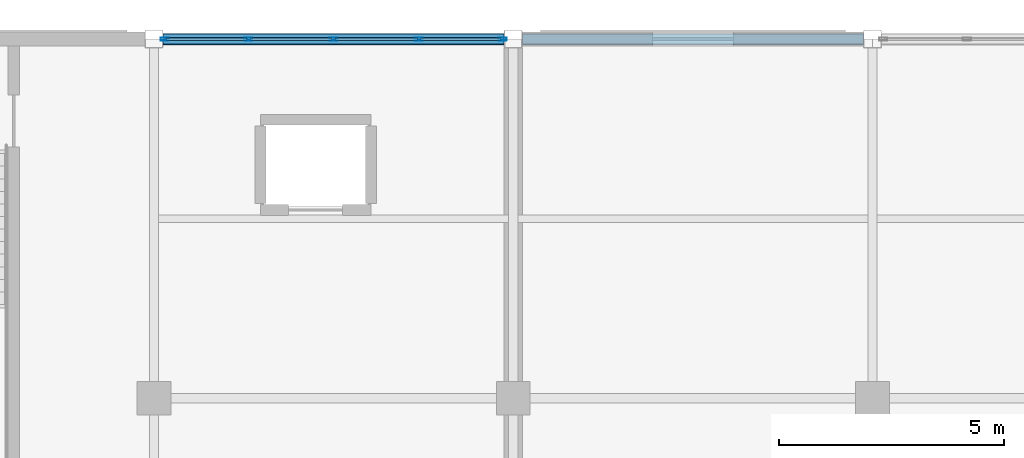
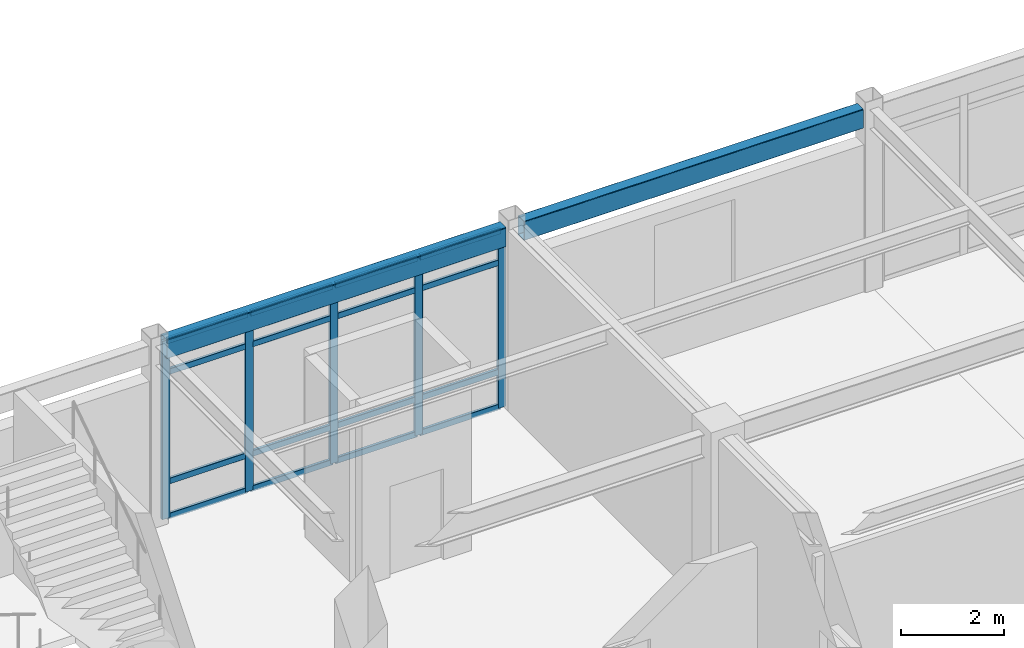
# One storey, part 63 of 111: 21 members, 2 beams, 1 element without a shape of its own.
"""IFC4 building model written with IfcOpenShell, lengths in metres."""

from ifc_helpers import new_model, si_unit, direction, frame, origin, origin_2d, place, context, subcontext, project, spatial, hollow_rectangle, extrude, material, material_profile, profile_set, type_object, element, aggregate, save


model = new_model("IFC4")

# Units and contexts
model_context = context("Model", 3, precision=1e-05, world=origin(), true_north=direction((0.0, 1.0)))
body_context = subcontext(model_context, "Body", "Model", "MODEL_VIEW")
ifc_project = project(units=[si_unit("LENGTHUNIT", "METRE"), si_unit("AREAUNIT", "SQUARE_METRE"), si_unit("VOLUMEUNIT", "CUBIC_METRE"), si_unit("PLANEANGLEUNIT", "RADIAN"), si_unit("MASSUNIT", "GRAM", prefix="KILO")], contexts=[model_context])

# Site, building, storey
site_placement = place(None, origin())
site = spatial("IfcSite", under=ifc_project, at=site_placement, CompositionType="ELEMENT")
building_placement = place(site_placement, origin())
building = spatial("IfcBuilding", under=site, at=building_placement, Name="Solmirada Galleria", CompositionType="ELEMENT")
storey_placement = place(building_placement, frame((0.0, 0.0, 10.39990234375)))
storey = spatial("IfcBuildingStorey", under=building, at=storey_placement, Name="L02", CompositionType="ELEMENT", Elevation=10.39990234375)

# Beams
ifc_material_1 = material(Name="Steel S355 / ASTM A500 Grade C", Category="steel")
ifc_material_profile_1 = material_profile(ifc_material_1, hollow_rectangle(XDim=0.25390625, YDim=0.45703125, WallThickness=0.01171875, InnerFilletRadius=0.01171875, OuterFilletRadius=0.023681640625, at=origin_2d()), Name="HSS18X10X1/2")
ifc_profile_set_1 = profile_set([ifc_material_profile_1], Name="Steel S355 / ASTM A500 Grade C")
beam_type = type_object("IfcBeamType", Name="BM-SPAND-W18", PredefinedType="SPANDREL", material=ifc_profile_set_1)
for number, where, z_axis, x_axis, name in (
    (1, (136.202880859375, 120.0, 4.071533203125), (1.0, 0.0, 0.0), (0.0, 1.0, 0.0), "Primary beam L03 X(136..144, 120)"),
    (2, (144.202880859375, 120.0, 4.071533203125), (1.0, 0.0, 0.0), (0.0, 1.0, 0.0), "Primary beam L03 X(144..152, 120)"),
):
    element("IfcBeam", number, at=place(storey_placement, frame(where, z_axis=z_axis, x_axis=x_axis)), inside=storey, type_object=beam_type, Name=name, PredefinedType="SPANDREL", context=body_context, shape_type="SweptSolid", body=[
        extrude(hollow_rectangle(XDim=0.25390625, YDim=0.45703125, WallThickness=0.01171875, InnerFilletRadius=0.01171875, OuterFilletRadius=0.023681640625, at=origin_2d()), origin(), (0.0, 0.0, 1.0), 7.59423828125),
    ])

# Curtain wall, members
ifc_material_2 = material(Name="Impact-resistant low-E double glazing", Category="glass")
curtain_wall_type = type_object("IfcCurtainWallType", Name="CW-FZ2-L02-B4-L076", PredefinedType="NOTDEFINED", material=ifc_material_2)
curtain_wall_placement = place(storey_placement, origin())
curtain_wall = element("IfcCurtainWall", 3, at=curtain_wall_placement, inside=storey, type_object=curtain_wall_type, Name="Terrace and arcade storefront CW-L02-097", PredefinedType="NOTDEFINED")
ifc_material_3 = material(Name="Anodised aluminium framing", Category="aluminium")
ifc_material_profile_2 = material_profile(ifc_material_3, hollow_rectangle(XDim=0.06494140625, YDim=0.179931640625, WallThickness=0.00390625, InnerFilletRadius=0.00390625, OuterFilletRadius=0.008056640625, at=origin_2d()), Name="ALU-MULL-180X65")
ifc_profile_set_2 = profile_set([ifc_material_profile_2], Name="Anodised aluminium framing")
member_type_1 = type_object("IfcMemberType", Name="CW-MULL-180", PredefinedType="MULLION", material=ifc_profile_set_2)
member_1_placement = place(storey_placement, frame((136.237548828125, 120.0, 0.0), z_axis=(0.0, 0.0, 1.0), x_axis=(0.0, 1.0, 0.0)))
member_1 = element("IfcMember", 4, at=member_1_placement, type_object=member_type_1, Name="CW24 mullion 1", PredefinedType="MULLION", context=body_context, shape_type="SweptSolid", body=[
    extrude(hollow_rectangle(XDim=0.06494140625, YDim=0.179931640625, WallThickness=0.00390625, InnerFilletRadius=0.00390625, OuterFilletRadius=0.008056640625, at=origin_2d()), origin(), (0.0, 0.0, 1.0), 4.22021484375),
])
member_2_placement = place(storey_placement, frame((138.1025390625, 120.0, 0.0), z_axis=(0.0, 0.0, 1.0), x_axis=(0.0, 1.0, 0.0)))
member_2 = element("IfcMember", 5, at=member_2_placement, type_object=member_type_1, Name="CW24 mullion 2", PredefinedType="MULLION", context=body_context, shape_type="SweptSolid", body=[
    extrude(hollow_rectangle(XDim=0.06494140625, YDim=0.179931640625, WallThickness=0.00390625, InnerFilletRadius=0.00390625, OuterFilletRadius=0.008056640625, at=origin_2d()), origin(), (0.0, 0.0, 1.0), 4.22021484375),
])
member_3_placement = place(storey_placement, frame((140.0, 120.0, 0.0), z_axis=(0.0, 0.0, 1.0), x_axis=(0.0, 1.0, 0.0)))
member_3 = element("IfcMember", 6, at=member_3_placement, type_object=member_type_1, Name="CW24 mullion 3", PredefinedType="MULLION", context=body_context, shape_type="SweptSolid", body=[
    extrude(hollow_rectangle(XDim=0.06494140625, YDim=0.179931640625, WallThickness=0.00390625, InnerFilletRadius=0.00390625, OuterFilletRadius=0.008056640625, at=origin_2d()), origin(), (0.0, 0.0, 1.0), 4.22021484375),
])
member_4_placement = place(storey_placement, frame((141.8974609375, 120.0, 0.0), z_axis=(0.0, 0.0, 1.0), x_axis=(0.0, 1.0, 0.0)))
member_4 = element("IfcMember", 7, at=member_4_placement, type_object=member_type_1, Name="CW24 mullion 4", PredefinedType="MULLION", context=body_context, shape_type="SweptSolid", body=[
    extrude(hollow_rectangle(XDim=0.06494140625, YDim=0.179931640625, WallThickness=0.00390625, InnerFilletRadius=0.00390625, OuterFilletRadius=0.008056640625, at=origin_2d()), origin(), (0.0, 0.0, 1.0), 4.22021484375),
])
member_5_placement = place(storey_placement, frame((143.762451171875, 120.0, 0.0), z_axis=(0.0, 0.0, 1.0), x_axis=(0.0, 1.0, 0.0)))
member_5 = element("IfcMember", 8, at=member_5_placement, type_object=member_type_1, Name="CW24 mullion 5", PredefinedType="MULLION", context=body_context, shape_type="SweptSolid", body=[
    extrude(hollow_rectangle(XDim=0.06494140625, YDim=0.179931640625, WallThickness=0.00390625, InnerFilletRadius=0.00390625, OuterFilletRadius=0.008056640625, at=origin_2d()), origin(), (0.0, 0.0, 1.0), 4.22021484375),
])
ifc_material_profile_3 = material_profile(ifc_material_3, hollow_rectangle(XDim=0.06494140625, YDim=0.139892578125, WallThickness=0.00341796875, InnerFilletRadius=0.00341796875, OuterFilletRadius=0.007080078125, at=origin_2d()), Name="ALU-TRAN-140X65")
ifc_profile_set_3 = profile_set([ifc_material_profile_3], Name="Anodised aluminium framing")
member_type_2 = type_object("IfcMemberType", Name="CW-TRAN-140", PredefinedType="USERDEFINED", material=ifc_profile_set_3)
member_6_placement = place(storey_placement, frame((136.27001953125, 120.0, 0.03271484375), z_axis=(1.0, 0.0, 0.0), x_axis=(0.0, 1.0, 0.0)))
member_6 = element("IfcMember", 9, at=member_6_placement, type_object=member_type_2, Name="CW24 transom 1.1", ObjectType="TRANSOM", PredefinedType="USERDEFINED", context=body_context, shape_type="SweptSolid", body=[
    extrude(hollow_rectangle(XDim=0.06494140625, YDim=0.139892578125, WallThickness=0.00341796875, InnerFilletRadius=0.00341796875, OuterFilletRadius=0.007080078125, at=origin_2d()), origin(), (0.0, 0.0, 1.0), 1.800048828125),
])
member_7_placement = place(storey_placement, frame((136.27001953125, 120.0, 0.860107421875), z_axis=(1.0, 0.0, 0.0), x_axis=(0.0, 1.0, 0.0)))
member_7 = element("IfcMember", 10, at=member_7_placement, type_object=member_type_2, Name="CW24 transom 1.2", ObjectType="TRANSOM", PredefinedType="USERDEFINED", context=body_context, shape_type="SweptSolid", body=[
    extrude(hollow_rectangle(XDim=0.06494140625, YDim=0.139892578125, WallThickness=0.00341796875, InnerFilletRadius=0.00341796875, OuterFilletRadius=0.007080078125, at=origin_2d()), origin(), (0.0, 0.0, 1.0), 1.800048828125),
])
member_8_placement = place(storey_placement, frame((136.27001953125, 120.0, 3.4501953125), z_axis=(1.0, 0.0, 0.0), x_axis=(0.0, 1.0, 0.0)))
member_8 = element("IfcMember", 11, at=member_8_placement, type_object=member_type_2, Name="CW24 transom 1.3", ObjectType="TRANSOM", PredefinedType="USERDEFINED", context=body_context, shape_type="SweptSolid", body=[
    extrude(hollow_rectangle(XDim=0.06494140625, YDim=0.139892578125, WallThickness=0.00341796875, InnerFilletRadius=0.00341796875, OuterFilletRadius=0.007080078125, at=origin_2d()), origin(), (0.0, 0.0, 1.0), 1.800048828125),
])
member_9_placement = place(storey_placement, frame((136.27001953125, 120.0, 4.1875), z_axis=(1.0, 0.0, 0.0), x_axis=(0.0, 1.0, 0.0)))
member_9 = element("IfcMember", 12, at=member_9_placement, type_object=member_type_2, Name="CW24 transom 1.4", ObjectType="TRANSOM", PredefinedType="USERDEFINED", context=body_context, shape_type="SweptSolid", body=[
    extrude(hollow_rectangle(XDim=0.06494140625, YDim=0.139892578125, WallThickness=0.00341796875, InnerFilletRadius=0.00341796875, OuterFilletRadius=0.007080078125, at=origin_2d()), origin(), (0.0, 0.0, 1.0), 1.800048828125),
])
member_10_placement = place(storey_placement, frame((138.135009765625, 120.0, 0.03271484375), z_axis=(1.0, 0.0, 0.0), x_axis=(0.0, 1.0, 0.0)))
member_10 = element("IfcMember", 13, at=member_10_placement, type_object=member_type_2, Name="CW24 transom 2.1", ObjectType="TRANSOM", PredefinedType="USERDEFINED", context=body_context, shape_type="SweptSolid", body=[
    extrude(hollow_rectangle(XDim=0.06494140625, YDim=0.139892578125, WallThickness=0.00341796875, InnerFilletRadius=0.00341796875, OuterFilletRadius=0.007080078125, at=origin_2d()), origin(), (0.0, 0.0, 1.0), 1.83251953125),
])
member_11_placement = place(storey_placement, frame((138.135009765625, 120.0, 0.860107421875), z_axis=(1.0, 0.0, 0.0), x_axis=(0.0, 1.0, 0.0)))
member_11 = element("IfcMember", 14, at=member_11_placement, type_object=member_type_2, Name="CW24 transom 2.2", ObjectType="TRANSOM", PredefinedType="USERDEFINED", context=body_context, shape_type="SweptSolid", body=[
    extrude(hollow_rectangle(XDim=0.06494140625, YDim=0.139892578125, WallThickness=0.00341796875, InnerFilletRadius=0.00341796875, OuterFilletRadius=0.007080078125, at=origin_2d()), origin(), (0.0, 0.0, 1.0), 1.83251953125),
])
member_12_placement = place(storey_placement, frame((138.135009765625, 120.0, 3.4501953125), z_axis=(1.0, 0.0, 0.0), x_axis=(0.0, 1.0, 0.0)))
member_12 = element("IfcMember", 15, at=member_12_placement, type_object=member_type_2, Name="CW24 transom 2.3", ObjectType="TRANSOM", PredefinedType="USERDEFINED", context=body_context, shape_type="SweptSolid", body=[
    extrude(hollow_rectangle(XDim=0.06494140625, YDim=0.139892578125, WallThickness=0.00341796875, InnerFilletRadius=0.00341796875, OuterFilletRadius=0.007080078125, at=origin_2d()), origin(), (0.0, 0.0, 1.0), 1.83251953125),
])
member_13_placement = place(storey_placement, frame((138.135009765625, 120.0, 4.1875), z_axis=(1.0, 0.0, 0.0), x_axis=(0.0, 1.0, 0.0)))
member_13 = element("IfcMember", 16, at=member_13_placement, type_object=member_type_2, Name="CW24 transom 2.4", ObjectType="TRANSOM", PredefinedType="USERDEFINED", context=body_context, shape_type="SweptSolid", body=[
    extrude(hollow_rectangle(XDim=0.06494140625, YDim=0.139892578125, WallThickness=0.00341796875, InnerFilletRadius=0.00341796875, OuterFilletRadius=0.007080078125, at=origin_2d()), origin(), (0.0, 0.0, 1.0), 1.83251953125),
])
member_14_placement = place(storey_placement, frame((140.032470703125, 120.0, 0.03271484375), z_axis=(1.0, 0.0, 0.0), x_axis=(0.0, 1.0, 0.0)))
member_14 = element("IfcMember", 17, at=member_14_placement, type_object=member_type_2, Name="CW24 transom 3.1", ObjectType="TRANSOM", PredefinedType="USERDEFINED", context=body_context, shape_type="SweptSolid", body=[
    extrude(hollow_rectangle(XDim=0.06494140625, YDim=0.139892578125, WallThickness=0.00341796875, InnerFilletRadius=0.00341796875, OuterFilletRadius=0.007080078125, at=origin_2d()), origin(), (0.0, 0.0, 1.0), 1.83251953125),
])
member_15_placement = place(storey_placement, frame((140.032470703125, 120.0, 0.860107421875), z_axis=(1.0, 0.0, 0.0), x_axis=(0.0, 1.0, 0.0)))
member_15 = element("IfcMember", 18, at=member_15_placement, type_object=member_type_2, Name="CW24 transom 3.2", ObjectType="TRANSOM", PredefinedType="USERDEFINED", context=body_context, shape_type="SweptSolid", body=[
    extrude(hollow_rectangle(XDim=0.06494140625, YDim=0.139892578125, WallThickness=0.00341796875, InnerFilletRadius=0.00341796875, OuterFilletRadius=0.007080078125, at=origin_2d()), origin(), (0.0, 0.0, 1.0), 1.83251953125),
])
member_16_placement = place(storey_placement, frame((140.032470703125, 120.0, 3.4501953125), z_axis=(1.0, 0.0, 0.0), x_axis=(0.0, 1.0, 0.0)))
member_16 = element("IfcMember", 19, at=member_16_placement, type_object=member_type_2, Name="CW24 transom 3.3", ObjectType="TRANSOM", PredefinedType="USERDEFINED", context=body_context, shape_type="SweptSolid", body=[
    extrude(hollow_rectangle(XDim=0.06494140625, YDim=0.139892578125, WallThickness=0.00341796875, InnerFilletRadius=0.00341796875, OuterFilletRadius=0.007080078125, at=origin_2d()), origin(), (0.0, 0.0, 1.0), 1.83251953125),
])
member_17_placement = place(storey_placement, frame((140.032470703125, 120.0, 4.1875), z_axis=(1.0, 0.0, 0.0), x_axis=(0.0, 1.0, 0.0)))
member_17 = element("IfcMember", 20, at=member_17_placement, type_object=member_type_2, Name="CW24 transom 3.4", ObjectType="TRANSOM", PredefinedType="USERDEFINED", context=body_context, shape_type="SweptSolid", body=[
    extrude(hollow_rectangle(XDim=0.06494140625, YDim=0.139892578125, WallThickness=0.00341796875, InnerFilletRadius=0.00341796875, OuterFilletRadius=0.007080078125, at=origin_2d()), origin(), (0.0, 0.0, 1.0), 1.83251953125),
])
member_18_placement = place(storey_placement, frame((141.929931640625, 120.0, 0.03271484375), z_axis=(1.0, 0.0, 0.0), x_axis=(0.0, 1.0, 0.0)))
member_18 = element("IfcMember", 21, at=member_18_placement, type_object=member_type_2, Name="CW24 transom 4.1", ObjectType="TRANSOM", PredefinedType="USERDEFINED", context=body_context, shape_type="SweptSolid", body=[
    extrude(hollow_rectangle(XDim=0.06494140625, YDim=0.139892578125, WallThickness=0.00341796875, InnerFilletRadius=0.00341796875, OuterFilletRadius=0.007080078125, at=origin_2d()), origin(), (0.0, 0.0, 1.0), 1.800048828125),
])
member_19_placement = place(storey_placement, frame((141.929931640625, 120.0, 0.860107421875), z_axis=(1.0, 0.0, 0.0), x_axis=(0.0, 1.0, 0.0)))
member_19 = element("IfcMember", 22, at=member_19_placement, type_object=member_type_2, Name="CW24 transom 4.2", ObjectType="TRANSOM", PredefinedType="USERDEFINED", context=body_context, shape_type="SweptSolid", body=[
    extrude(hollow_rectangle(XDim=0.06494140625, YDim=0.139892578125, WallThickness=0.00341796875, InnerFilletRadius=0.00341796875, OuterFilletRadius=0.007080078125, at=origin_2d()), origin(), (0.0, 0.0, 1.0), 1.800048828125),
])
member_20_placement = place(storey_placement, frame((141.929931640625, 120.0, 3.4501953125), z_axis=(1.0, 0.0, 0.0), x_axis=(0.0, 1.0, 0.0)))
member_20 = element("IfcMember", 23, at=member_20_placement, type_object=member_type_2, Name="CW24 transom 4.3", ObjectType="TRANSOM", PredefinedType="USERDEFINED", context=body_context, shape_type="SweptSolid", body=[
    extrude(hollow_rectangle(XDim=0.06494140625, YDim=0.139892578125, WallThickness=0.00341796875, InnerFilletRadius=0.00341796875, OuterFilletRadius=0.007080078125, at=origin_2d()), origin(), (0.0, 0.0, 1.0), 1.800048828125),
])
member_21_placement = place(storey_placement, frame((141.929931640625, 120.0, 4.1875), z_axis=(1.0, 0.0, 0.0), x_axis=(0.0, 1.0, 0.0)))
member_21 = element("IfcMember", 24, at=member_21_placement, type_object=member_type_2, Name="CW24 transom 4.4", ObjectType="TRANSOM", PredefinedType="USERDEFINED", context=body_context, shape_type="SweptSolid", body=[
    extrude(hollow_rectangle(XDim=0.06494140625, YDim=0.139892578125, WallThickness=0.00341796875, InnerFilletRadius=0.00341796875, OuterFilletRadius=0.007080078125, at=origin_2d()), origin(), (0.0, 0.0, 1.0), 1.800048828125),
])
aggregate(curtain_wall, [member_1, member_2, member_3, member_4, member_5, member_6, member_7, member_8, member_9, member_10, member_11, member_12, member_13, member_14, member_15, member_16, member_17, member_18, member_19, member_20, member_21])

save(model, "model.ifc")
